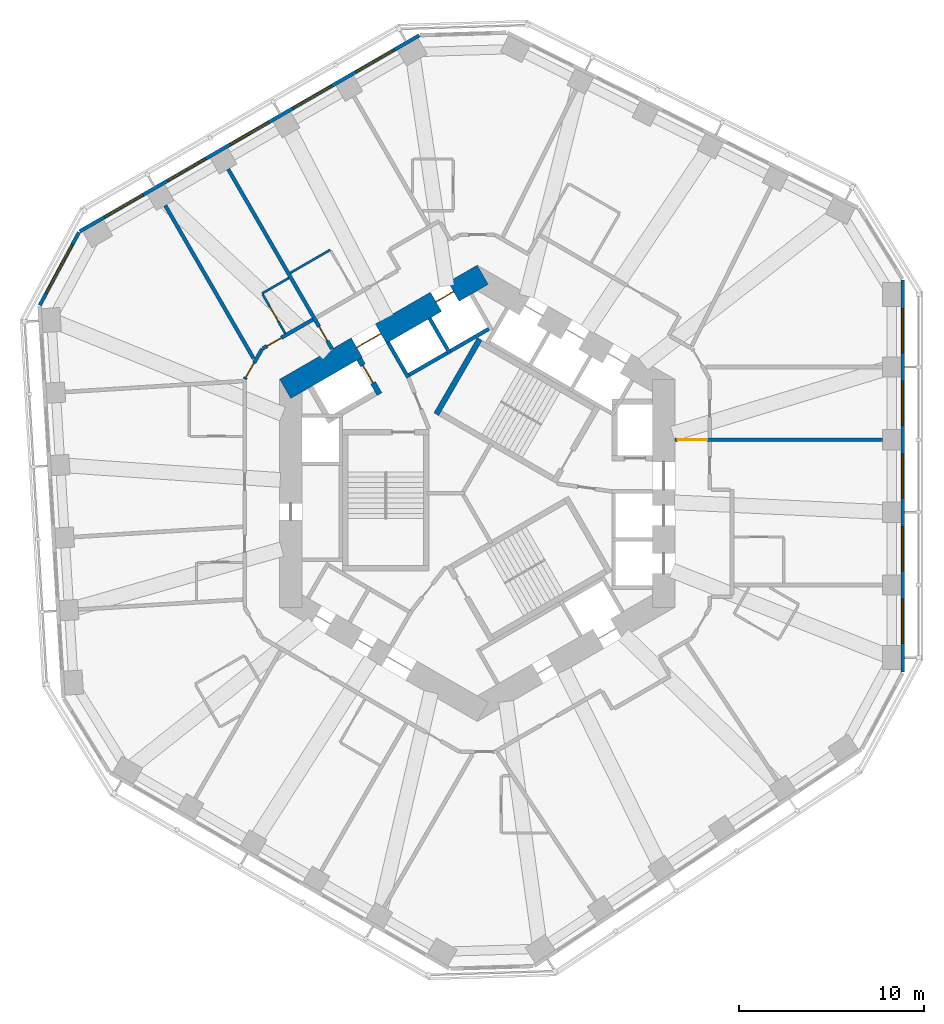
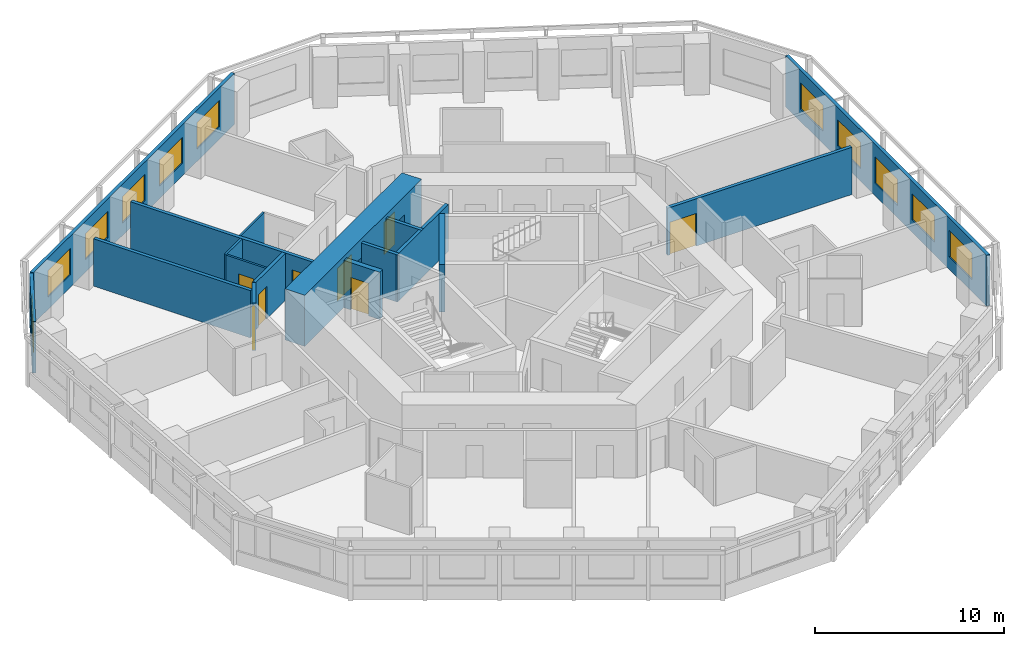
# One storey, part 7 of 12: 17 walls, 11 windows, 8 doors, 19 openings.
"""IFC4 building model written with IfcOpenShell, lengths in metres."""

import ifcopenshell
import ifcopenshell.guid

model = None  # the IFC model being written
_history = None  # IfcOwnerHistory: only IFC2X3 demands one
_inside = {}  # id of a spatial element -> (the spatial element, [elements in it])
_under = {}  # id of a project, library or spatial element -> (it, [spatial elements below it])
_declared = {}  # id of a project -> (the project, [libraries it declares])
_typed = {}  # id of a type object -> (the type object, [elements of that type])
_made_of = {}  # id of a material, layer set ... -> (it, [elements and type objects made of it])


def new_model(schema):
    """Start an empty IFC model of exactly this schema.

    Asked for "IFC4X3", IfcOpenShell would pick the latest addendum, in which some entities
    have other attributes; the version numbers below select the first issue.
    IFC2X3 requires an IfcOwnerHistory on every rooted entity: one is made here for all.
    """
    global model, _history
    if schema == "IFC4X3":
        model = ifcopenshell.file(schema_version=(4, 3, 0, 0))
    else:
        model = ifcopenshell.file(schema=schema)
    _inside.clear()
    _under.clear()
    _declared.clear()
    _typed.clear()
    _made_of.clear()
    _history = None
    if model.schema == "IFC2X3":
        org = make("IfcOrganization", Name="unknown")
        user = make(
            "IfcPersonAndOrganization",
            ThePerson=make("IfcPerson", FamilyName="unknown"),
            TheOrganization=org,
        )
        app = make(
            "IfcApplication",
            ApplicationDeveloper=org,
            Version="unknown",
            ApplicationFullName="unknown",
            ApplicationIdentifier="unknown",
        )
        _history = make(
            "IfcOwnerHistory",
            OwningUser=user,
            OwningApplication=app,
            ChangeAction="ADDED",
            CreationDate=0,
        )
    return model


def make(cls, **values):
    """One entity of the class cls with the attributes given. An attribute that is None is left unset."""
    return model.create_entity(
        cls, **{name: value for name, value in values.items() if value is not None}
    )


def rooted(cls, **values):
    """An entity with a GlobalId (a new one), such as an element, a storey or a relation."""
    return make(cls, GlobalId=ifcopenshell.guid.new(), OwnerHistory=_history, **values)


def si_unit(unit_type, name, prefix=None):
    """IfcSIUnit, for example si_unit("LENGTHUNIT", "METRE", prefix="MILLI")."""
    return make("IfcSIUnit", UnitType=unit_type, Prefix=prefix, Name=name)


def assignment(units):
    """IfcUnitAssignment: the units of a project."""
    return None if units is None else make("IfcUnitAssignment", Units=units)


def point(xyz):
    """IfcCartesianPoint."""
    return None if xyz is None else make("IfcCartesianPoint", Coordinates=xyz)


def direction(xyz):
    """IfcDirection."""
    return None if xyz is None else make("IfcDirection", DirectionRatios=xyz)


def frame(location, z_axis=None, x_axis=None):
    """IfcAxis2Placement3D, a coordinate frame: its origin and axes. An axis left out is left unset."""
    return make(
        "IfcAxis2Placement3D",
        Location=point(location),
        Axis=direction(z_axis),
        RefDirection=direction(x_axis),
    )


def frame_2d(location, x_axis=None):
    """IfcAxis2Placement2D, a coordinate frame in the plane: its origin and x axis."""
    return make(
        "IfcAxis2Placement2D", Location=point(location), RefDirection=direction(x_axis)
    )


def origin():
    """The frame at (0, 0, 0) with its axes left unset."""
    return frame((0.0, 0.0, 0.0))


def place(relative_to, where):
    """IfcLocalPlacement: puts the frame where relative to a parent placement (None: the world)."""
    return make(
        "IfcLocalPlacement", PlacementRelTo=relative_to, RelativePlacement=where
    )


def context(
    kind, dimensions, precision=None, world=None, true_north=None, identifier=None
):
    """IfcGeometricRepresentationContext, for example the 3D "Model" context."""
    return make(
        "IfcGeometricRepresentationContext",
        ContextIdentifier=identifier,
        ContextType=kind,
        CoordinateSpaceDimension=dimensions,
        Precision=precision,
        WorldCoordinateSystem=world,
        TrueNorth=true_north,
    )


def subcontext(parent, identifier, kind, view, scale=None):
    """IfcGeometricRepresentationSubContext, for example "Body" below "Model"."""
    return make(
        "IfcGeometricRepresentationSubContext",
        ContextIdentifier=identifier,
        ContextType=kind,
        ParentContext=parent,
        TargetScale=scale,
        TargetView=view,
    )


def project(units=None, contexts=None):
    """IfcProject with its units and contexts."""
    return rooted(
        "IfcProject",
        Name="project",
        RepresentationContexts=contexts,
        UnitsInContext=assignment(units),
    )


def spatial(cls, under=None, at=None, **own):
    """A site, building, storey or space (cls), placed at a placement, below another one or the project."""
    s = rooted(cls, ObjectPlacement=at, **own)
    if under is not None:
        _under.setdefault(under.id(), (under, []))[1].append(s)
    return s


def profile(cls, at=None, kind="AREA", **sizes):
    """A parametric profile (cls). Its sizes go by their IFC names, for example OverallWidth=200.0."""
    return make(cls, ProfileType=kind, Position=at, **sizes)


def rectangle(**sizes):
    """IfcRectangleProfileDef."""
    return profile("IfcRectangleProfileDef", **sizes)


def extrude(swept, where, along, depth):
    """IfcExtrudedAreaSolid: the profile swept, set in the frame where, extruded along a direction by depth."""
    return make(
        "IfcExtrudedAreaSolid",
        SweptArea=swept,
        Position=where,
        ExtrudedDirection=direction(along),
        Depth=depth,
    )


def shape(context_of_items, identifier, shape_type, items):
    """IfcShapeRepresentation: the items that make up one representation, for example the "Body"."""
    return make(
        "IfcShapeRepresentation",
        ContextOfItems=context_of_items,
        RepresentationIdentifier=identifier,
        RepresentationType=shape_type,
        Items=items,
    )


def material(Name=None, Category=None):
    """IfcMaterial."""
    return make("IfcMaterial", Name=Name, Category=Category)


def layer(
    of_material, thickness, ventilated=None, Name=None, Category=None, Priority=None
):
    """IfcMaterialLayer: one layer of a wall or slab, of a material (None: an air gap)."""
    return make(
        "IfcMaterialLayer",
        Material=of_material,
        LayerThickness=thickness,
        IsVentilated=ventilated,
        Name=Name,
        Category=Category,
        Priority=Priority,
    )


def layer_set(layers, Name=None):
    """IfcMaterialLayerSet."""
    return make("IfcMaterialLayerSet", MaterialLayers=layers, LayerSetName=Name)


def made_of(thing, what):
    """Note that an element or type object is made of a material, layer set ...; save() writes the relation."""
    if what is not None:
        _made_of.setdefault(what.id(), (what, []))[1].append(thing)
    return thing


def type_object(cls, material=None, **own):
    """A type object (cls), such as IfcWallType, which elements share."""
    return made_of(rooted(cls, **own), material)


def element(
    cls,
    number,
    at=None,
    inside=None,
    cuts=None,
    type_object=None,
    material=None,
    context=None,
    identifier="Body",
    shape_type=None,
    held_by="IfcProductDefinitionShape",
    body=None,
    shapes=None,
    **own,
):
    """One element of the class cls, such as IfcWall. Its Tag is "e" and its number.

    at: its placement. inside: the storey or other place that contains it. cuts: it is an
    opening in that element (IfcRelVoidsElement). A single representation is given by context,
    identifier, shape_type and body (its items); several are given by shapes. held_by: the class
    of the entity that holds the representations. save() writes the other relations.
    """
    e = rooted(cls, Tag="e%d" % number, ObjectPlacement=at, **own)
    if body is not None:
        shapes = [shape(context, identifier, shape_type, body)]
    if shapes is not None:
        e.Representation = make(held_by, Representations=shapes)
    if inside is not None:
        _inside.setdefault(inside.id(), (inside, []))[1].append(e)
    if cuts is not None:
        rooted(
            "IfcRelVoidsElement", RelatingBuildingElement=cuts, RelatedOpeningElement=e
        )
    if type_object is not None:
        _typed.setdefault(type_object.id(), (type_object, []))[1].append(e)
    return made_of(e, material)


def fill(opening, filler):
    """IfcRelFillsElement: the door or window that sits in an opening."""
    return rooted(
        "IfcRelFillsElement",
        RelatingOpeningElement=opening,
        RelatedBuildingElement=filler,
    )


def aggregate(whole, parts):
    """IfcRelAggregates: a whole, such as a stair, and the parts it consists of."""
    return rooted("IfcRelAggregates", RelatingObject=whole, RelatedObjects=parts)


def save(model, path):
    """Write the relations noted so far, then the file.

    IfcRelAggregates (storeys below a building ...), IfcRelContainedInSpatialStructure (elements
    in a storey), IfcRelDefinesByType, IfcRelAssociatesMaterial and IfcRelDeclares: one each for
    every whole, place, type object, material and project.
    """
    for whole, parts in _under.values():
        aggregate(whole, parts)
    for where, things in _inside.values():
        rooted(
            "IfcRelContainedInSpatialStructure",
            RelatedElements=things,
            RelatingStructure=where,
        )
    for kind, things in _typed.values():
        rooted("IfcRelDefinesByType", RelatedObjects=things, RelatingType=kind)
    for what, things in _made_of.values():
        rooted("IfcRelAssociatesMaterial", RelatedObjects=things, RelatingMaterial=what)
    for by, libraries in _declared.values():
        rooted("IfcRelDeclares", RelatingContext=by, RelatedDefinitions=libraries)
    model.write(path)


model = new_model("IFC4")

# Units and contexts
model_context = context("Model", 3, precision=1e-05, world=origin(), true_north=direction((0.0, 1.0)))
body_context = subcontext(model_context, "Body", "Model", "MODEL_VIEW")
ifc_project = project(units=[si_unit("LENGTHUNIT", "METRE"), si_unit("AREAUNIT", "SQUARE_METRE"), si_unit("VOLUMEUNIT", "CUBIC_METRE"), si_unit("PLANEANGLEUNIT", "RADIAN"), si_unit("MASSUNIT", "GRAM", prefix="KILO")], contexts=[model_context])

# Site, building, storey
site_placement = place(None, origin())
site = spatial("IfcSite", under=ifc_project, at=site_placement, CompositionType="ELEMENT")
building_placement = place(site_placement, origin())
building = spatial("IfcBuilding", under=site, at=building_placement, Name="Vanh Sen Convention Tower", CompositionType="ELEMENT")
storey_placement = place(building_placement, frame((0.0, 0.0, 103.39990234375)))
storey = spatial("IfcBuildingStorey", under=building, at=storey_placement, Name="L24", CompositionType="ELEMENT", Elevation=103.39990234375)

# Wall
ifc_material_1 = material(Name="Moisture-resistant gypsum board on steel studs", Category="steel")
ifc_layer_1 = layer(ifc_material_1, 0.1201171875)
ifc_layer_set_1 = layer_set([ifc_layer_1], Name="Moisture-resistant gypsum board on steel studs")
wall_type_1 = type_object("IfcWallType", Name="Bathroom partition 120", PredefinedType="PARTITIONING", material=ifc_layer_set_1)
wall_1_placement = place(storey_placement, frame((-11.65087890625, 10.82470703125, 0.0), z_axis=(0.0, 0.0, 1.0), x_axis=(0.865998477143, 0.500046635412, 0.0)))
element("IfcWall", 1, at=wall_1_placement, inside=storey, type_object=wall_type_1, Name="Bathroom partition 120", PredefinedType="PARTITIONING", context=body_context, shape_type="SweptSolid", body=[
    extrude(rectangle(XDim=1.673095703125, YDim=0.1201171875, at=frame_2d((0.83642578125, 0.0))), origin(), (0.0, 0.0, 1.0), 3.050048828125),
])

# Wall, opening, door
wall_2_placement = place(storey_placement, frame((-10.40087890625, 8.65966796875, 0.0), z_axis=(0.0, 0.0, 1.0), x_axis=(-0.500077547548, 0.865980627057, 0.0)))
wall_2 = element("IfcWall", 2, at=wall_2_placement, inside=storey, type_object=wall_type_1, Name="Bathroom partition 120", PredefinedType="PARTITIONING", context=body_context, shape_type="SweptSolid", body=[
    extrude(rectangle(XDim=2.43994140625, YDim=0.1201171875, at=frame_2d((1.219970703125, 0.0))), origin(), (0.0, 0.0, 1.0), 3.050048828125),
])
opening_1_placement = place(wall_2_placement, frame((0.77001953125, 0.0, 0.0)))
opening_1 = element("IfcOpeningElement", 3, at=opening_1_placement, cuts=wall_2, Name="Opening D22112", PredefinedType="OPENING", context=body_context, shape_type="SweptSolid", body=[
    extrude(rectangle(XDim=0.89990234375, YDim=2.10009765625, at=frame_2d((0.449951171875, 1.050048828125))), frame((0.0, 0.070068359375, 0.0), z_axis=(0.0, -1.0, 0.0), x_axis=(1.0, 0.0, 0.0)), (0.0, 0.0, 1.0), 0.14013671875),
])
ifc_material_2 = material(Name="Laminate door in steel frame", Category="steel")
door_type_1 = type_object("IfcDoorType", Name="En-suite door 900", OperationType="SINGLE_SWING_LEFT", PredefinedType="DOOR", material=ifc_material_2)
door_1_placement = place(opening_1_placement, origin())
door_1 = element("IfcDoor", 4, at=door_1_placement, inside=storey, type_object=door_type_1, Name="En-suite door D22112", OperationType="SINGLE_SWING_LEFT", OverallHeight=2.10009765625, OverallWidth=0.89990234375, PredefinedType="DOOR", context=body_context, shape_type="SweptSolid", body=[
    extrude(rectangle(XDim=0.89990234375, YDim=2.10009765625, at=frame_2d((0.449951171875, 1.050048828125))), frame((0.0, 0.02490234375, 0.0), z_axis=(0.0, -1.0, 0.0), x_axis=(1.0, 0.0, 0.0)), (0.0, 0.0, 1.0), 0.050048828125),
])
fill(opening_1, door_1)

# Wall
wall_3_placement = place(storey_placement, frame((-10.12890625, 11.9345703125, 0.0), z_axis=(0.0, 0.0, 1.0), x_axis=(0.866047370643, 0.499961950354, 0.0)))
element("IfcWall", 5, at=wall_3_placement, inside=storey, type_object=wall_type_1, Name="Bathroom partition 120", PredefinedType="PARTITIONING", context=body_context, shape_type="SweptSolid", body=[
    extrude(rectangle(XDim=2.500244140625, YDim=0.1201171875, at=frame_2d((1.25, 0.0))), origin(), (0.0, 0.0, 1.0), 3.050048828125),
])

# Wall, openings, doors
ifc_material_3 = material(Name="Concrete C80/95", Category="concrete")
ifc_layer_2 = layer(ifc_material_3, 1.199951171875)
ifc_layer_set_2 = layer_set([ifc_layer_2], Name="Concrete C80/95")
wall_type_2 = type_object("IfcWallType", Name="Core outer wall 1200 C80/95", PredefinedType="SHEAR", material=ifc_layer_set_2)
wall_4_placement = place(storey_placement, frame((0.300048828125, 11.835693359375, 0.0), z_axis=(0.0, 0.0, 1.0), x_axis=(-0.866021384402, -0.500006961711, 0.0)))
wall_4 = element("IfcWall", 6, at=wall_4_placement, inside=storey, type_object=wall_type_2, Name="Core wall face NW L24", PredefinedType="SHEAR", context=body_context, shape_type="SweptSolid", body=[
    extrude(rectangle(XDim=12.355224609375, YDim=1.199951171875, at=frame_2d((6.177734375, 0.0))), origin(), (0.0, 0.0, 1.0), 3.300048828125),
])
opening_2_placement = place(wall_4_placement, frame((6.377685546875, 0.0, 0.0)))
opening_2 = element("IfcOpeningElement", 7, at=opening_2_placement, cuts=wall_4, Name="Opening D22002", PredefinedType="OPENING", context=body_context, shape_type="SweptSolid", body=[
    extrude(rectangle(XDim=1.5, YDim=2.10009765625, at=frame_2d((0.75, 1.050048828125))), frame((0.0, 0.60986328125, 0.0), z_axis=(0.0, -1.0, 0.0), x_axis=(1.0, 0.0, 0.0)), (0.0, 0.0, 1.0), 1.219970703125),
])
opening_3_placement = place(wall_4_placement, frame((1.82763671875, 0.0, 0.0)))
opening_3 = element("IfcOpeningElement", 8, at=opening_3_placement, cuts=wall_4, Name="Opening LD-LR6", PredefinedType="OPENING", context=body_context, shape_type="SweptSolid", body=[
    extrude(rectangle(XDim=1.10009765625, YDim=2.10009765625, at=frame_2d((0.550048828125, 1.050048828125))), frame((0.0, 0.60986328125, 0.0), z_axis=(0.0, -1.0, 0.0), x_axis=(1.0, 0.0, 0.0)), (0.0, 0.0, 1.0), 1.219970703125),
])
ifc_material_4 = material(Name="Stainless steel", Category="steel")
door_type_2 = type_object("IfcDoorType", Name="Lift landing door 1100", OperationType="DOUBLE_DOOR_SLIDING", PredefinedType="DOOR", material=ifc_material_4)
door_2_placement = place(opening_3_placement, origin())
door_2 = element("IfcDoor", 9, at=door_2_placement, inside=storey, type_object=door_type_2, Name="Lift LR6 landing door LD-LR6", OperationType="DOUBLE_DOOR_SLIDING", OverallHeight=2.10009765625, OverallWidth=1.10009765625, PredefinedType="DOOR", context=body_context, shape_type="SweptSolid", body=[
    extrude(rectangle(XDim=1.10009765625, YDim=2.10009765625, at=frame_2d((0.550048828125, 1.050048828125))), frame((0.0, 0.02490234375, 0.0), z_axis=(0.0, -1.0, 0.0), x_axis=(1.0, 0.0, 0.0)), (0.0, 0.0, 1.0), 0.050048828125),
])
fill(opening_3, door_2)
ifc_material_5 = material(Name="Steel S355", Category="steel")
door_type_3 = type_object("IfcDoorType", Name="Stair lobby door 1500", OperationType="DOUBLE_DOOR_SINGLE_SWING", PredefinedType="DOOR", material=ifc_material_5)
door_3_placement = place(opening_2_placement, origin())
door_3 = element("IfcDoor", 10, at=door_3_placement, inside=storey, type_object=door_type_3, Name="Stair lobby door D22002", OperationType="DOUBLE_DOOR_SINGLE_SWING", OverallHeight=2.10009765625, OverallWidth=1.5, PredefinedType="DOOR", context=body_context, shape_type="SweptSolid", body=[
    extrude(rectangle(XDim=1.5, YDim=2.10009765625, at=frame_2d((0.75, 1.050048828125))), frame((0.0, 0.02490234375, 0.0), z_axis=(0.0, -1.0, 0.0), x_axis=(1.0, 0.0, 0.0)), (0.0, 0.0, 1.0), 0.050048828125),
])
fill(opening_2, door_3)

# Wall, opening, door
ifc_material_6 = material(Name="Gypsum board on steel studs with mineral wool", Category="steel")
ifc_layer_3 = layer(ifc_material_6, 0.199951171875)
ifc_layer_set_3 = layer_set([ifc_layer_3], Name="Gypsum board on steel studs with mineral wool")
wall_type_3 = type_object("IfcWallType", Name="Corridor partition wall 200", PredefinedType="PARTITIONING", material=ifc_layer_set_3)
wall_5_placement = place(storey_placement, frame((-11.64990234375, 7.822998046875, 0.0), z_axis=(0.0, 0.0, 1.0), x_axis=(-0.500063520245, -0.865988727248, 0.0)))
wall_5 = element("IfcWall", 11, at=wall_5_placement, inside=storey, type_object=wall_type_3, Name="Corridor partition wall 200", PredefinedType="PARTITIONING", context=body_context, shape_type="SweptSolid", body=[
    extrude(rectangle(XDim=1.900146484375, YDim=0.199951171875, at=frame_2d((0.9501953125, 0.0))), origin(), (0.0, 0.0, 1.0), 3.050048828125),
])
opening_4_placement = place(wall_5_placement, frame((0.8818359375, 0.0, 0.0)))
opening_4 = element("IfcOpeningElement", 12, at=opening_4_placement, cuts=wall_5, Name="Opening D22113", PredefinedType="OPENING", context=body_context, shape_type="SweptSolid", body=[
    extrude(rectangle(XDim=0.89990234375, YDim=2.10009765625, at=frame_2d((0.449951171875, 1.050048828125))), frame((0.0, 0.10986328125, 0.0), z_axis=(0.0, -1.0, 0.0), x_axis=(1.0, 0.0, 0.0)), (0.0, 0.0, 1.0), 0.219970703125),
])
ifc_material_7 = material(Name="Timber fire door in steel frame", Category="steel")
door_type_4 = type_object("IfcDoorType", Name="Floor room door 900", OperationType="SINGLE_SWING_LEFT", PredefinedType="DOOR", material=ifc_material_7)
door_4_placement = place(opening_4_placement, origin())
door_4 = element("IfcDoor", 13, at=door_4_placement, inside=storey, type_object=door_type_4, Name="Meeting and amenity room door D22113", OperationType="SINGLE_SWING_LEFT", OverallHeight=2.10009765625, OverallWidth=0.89990234375, PredefinedType="DOOR", context=body_context, shape_type="SweptSolid", body=[
    extrude(rectangle(XDim=0.89990234375, YDim=2.10009765625, at=frame_2d((0.449951171875, 1.050048828125))), frame((0.0, 0.02490234375, 0.0), z_axis=(0.0, -1.0, 0.0), x_axis=(1.0, 0.0, 0.0)), (0.0, 0.0, 1.0), 0.050048828125),
])
fill(opening_4, door_4)

wall_6_placement = place(storey_placement, frame((-8.902099609375, 9.40966796875, 0.0), z_axis=(0.0, 0.0, 1.0), x_axis=(-0.866014299198, -0.500019233215, 0.0)))
wall_6 = element("IfcWall", 14, at=wall_6_placement, inside=storey, type_object=wall_type_3, Name="Corridor partition wall 200", PredefinedType="PARTITIONING", context=body_context, shape_type="SweptSolid", body=[
    extrude(rectangle(XDim=3.13330078125, YDim=0.199951171875, at=frame_2d((1.566650390625, 0.0))), origin(), (0.0, 0.0, 1.0), 3.050048828125),
])
opening_5_placement = place(wall_6_placement, frame((1.97802734375, 0.0, 0.0)))
opening_5 = element("IfcOpeningElement", 15, at=opening_5_placement, cuts=wall_6, Name="Opening D22111", PredefinedType="OPENING", context=body_context, shape_type="SweptSolid", body=[
    extrude(rectangle(XDim=0.89990234375, YDim=2.10009765625, at=frame_2d((0.449951171875, 1.050048828125))), frame((0.0, 0.10986328125, 0.0), z_axis=(0.0, -1.0, 0.0), x_axis=(1.0, 0.0, 0.0)), (0.0, 0.0, 1.0), 0.219970703125),
])
door_type_5 = type_object("IfcDoorType", Name="Guest room door 900", OperationType="SINGLE_SWING_LEFT", PredefinedType="DOOR", material=ifc_material_7)
door_5_placement = place(opening_5_placement, origin())
door_5 = element("IfcDoor", 16, at=door_5_placement, inside=storey, type_object=door_type_5, Name="Hotel guest room door D22111", OperationType="SINGLE_SWING_LEFT", OverallHeight=2.10009765625, OverallWidth=0.89990234375, PredefinedType="DOOR", context=body_context, shape_type="SweptSolid", body=[
    extrude(rectangle(XDim=0.89990234375, YDim=2.10009765625, at=frame_2d((0.449951171875, 1.050048828125))), frame((0.0, 0.02490234375, 0.0), z_axis=(0.0, -1.0, 0.0), x_axis=(1.0, 0.0, 0.0)), (0.0, 0.0, 1.0), 0.050048828125),
])
fill(opening_5, door_5)

# Wall, openings, windows
ifc_material_8 = material(Name="Insulated lightweight infill wall")
ifc_layer_4 = layer(ifc_material_8, 0.199951171875)
ifc_layer_set_4 = layer_set([ifc_layer_4], Name="Insulated lightweight infill wall")
wall_type_4 = type_object("IfcWallType", Name="External wall 200", PredefinedType="STANDARD", material=ifc_layer_set_4)
wall_7_placement = place(storey_placement, frame((23.050048828125, -9.6865234375, 0.0), z_axis=(0.0, 0.0, 1.0), x_axis=(0.0, 1.0, 0.0)))
wall_7 = element("IfcWall", 17, at=wall_7_placement, inside=storey, type_object=wall_type_4, Name="External wall E L24", PredefinedType="STANDARD", context=body_context, shape_type="SweptSolid", body=[
    extrude(rectangle(XDim=21.24609375, YDim=0.199951171875, at=frame_2d((10.623046875, 0.0))), origin(), (0.0, 0.0, 1.0), 3.300048828125),
])
opening_6_placement = place(wall_7_placement, frame((1.5546875, 0.0, 0.800048828125)))
opening_6 = element("IfcOpeningElement", 18, at=opening_6_placement, cuts=wall_7, Name="Opening WH1-E1", PredefinedType="OPENING", context=body_context, shape_type="SweptSolid", body=[
    extrude(rectangle(XDim=2.39990234375, YDim=1.699951171875, at=frame_2d((1.199951171875, 0.85009765625))), frame((0.0, 0.10986328125, 0.0), z_axis=(0.0, -1.0, 0.0), x_axis=(1.0, 0.0, 0.0)), (0.0, 0.0, 1.0), 0.219970703125),
])
opening_7_placement = place(wall_7_placement, frame((5.4892578125, 0.0, 0.800048828125)))
opening_7 = element("IfcOpeningElement", 19, at=opening_7_placement, cuts=wall_7, Name="Opening WH1-E2", PredefinedType="OPENING", context=body_context, shape_type="SweptSolid", body=[
    extrude(rectangle(XDim=2.39990234375, YDim=1.699951171875, at=frame_2d((1.199951171875, 0.85009765625))), frame((0.0, 0.10986328125, 0.0), z_axis=(0.0, -1.0, 0.0), x_axis=(1.0, 0.0, 0.0)), (0.0, 0.0, 1.0), 0.219970703125),
])
opening_8_placement = place(wall_7_placement, frame((9.423828125, 0.0, 0.800048828125)))
opening_8 = element("IfcOpeningElement", 20, at=opening_8_placement, cuts=wall_7, Name="Opening WH1-E3", PredefinedType="OPENING", context=body_context, shape_type="SweptSolid", body=[
    extrude(rectangle(XDim=2.39990234375, YDim=1.699951171875, at=frame_2d((1.199951171875, 0.85009765625))), frame((0.0, 0.10986328125, 0.0), z_axis=(0.0, -1.0, 0.0), x_axis=(1.0, 0.0, 0.0)), (0.0, 0.0, 1.0), 0.219970703125),
])
opening_9_placement = place(wall_7_placement, frame((13.3583984375, 0.0, 0.800048828125)))
opening_9 = element("IfcOpeningElement", 21, at=opening_9_placement, cuts=wall_7, Name="Opening WH1-E4", PredefinedType="OPENING", context=body_context, shape_type="SweptSolid", body=[
    extrude(rectangle(XDim=2.39990234375, YDim=1.699951171875, at=frame_2d((1.199951171875, 0.85009765625))), frame((0.0, 0.10986328125, 0.0), z_axis=(0.0, -1.0, 0.0), x_axis=(1.0, 0.0, 0.0)), (0.0, 0.0, 1.0), 0.219970703125),
])
opening_10_placement = place(wall_7_placement, frame((17.29296875, 0.0, 0.800048828125)))
opening_10 = element("IfcOpeningElement", 22, at=opening_10_placement, cuts=wall_7, Name="Opening WH1-E5", PredefinedType="OPENING", context=body_context, shape_type="SweptSolid", body=[
    extrude(rectangle(XDim=2.39990234375, YDim=1.699951171875, at=frame_2d((1.199951171875, 0.85009765625))), frame((0.0, 0.10986328125, 0.0), z_axis=(0.0, -1.0, 0.0), x_axis=(1.0, 0.0, 0.0)), (0.0, 0.0, 1.0), 0.219970703125),
])
ifc_material_9 = material(Name="Aluminium frame with clear low-emissivity glass", Category="aluminium")
window_type_1 = type_object("IfcWindowType", Name="Hotel window 2400 x 1700", PartitioningType="SINGLE_PANEL", PredefinedType="WINDOW", material=ifc_material_9)
window_1_placement = place(opening_6_placement, origin())
window_1 = element("IfcWindow", 23, at=window_1_placement, inside=storey, type_object=window_type_1, Name="Window WH1-E1", OverallHeight=1.699951171875, OverallWidth=2.39990234375, PartitioningType="SINGLE_PANEL", PredefinedType="WINDOW", context=body_context, shape_type="SweptSolid", body=[
    extrude(rectangle(XDim=2.39990234375, YDim=1.699951171875, at=frame_2d((1.199951171875, 0.85009765625))), frame((0.0, 0.030029296875, 0.0), z_axis=(0.0, -1.0, 0.0), x_axis=(1.0, 0.0, 0.0)), (0.0, 0.0, 1.0), 0.06005859375),
])
fill(opening_6, window_1)
window_2_placement = place(opening_7_placement, origin())
window_2 = element("IfcWindow", 24, at=window_2_placement, inside=storey, type_object=window_type_1, Name="Window WH1-E2", OverallHeight=1.699951171875, OverallWidth=2.39990234375, PartitioningType="SINGLE_PANEL", PredefinedType="WINDOW", context=body_context, shape_type="SweptSolid", body=[
    extrude(rectangle(XDim=2.39990234375, YDim=1.699951171875, at=frame_2d((1.199951171875, 0.85009765625))), frame((0.0, 0.030029296875, 0.0), z_axis=(0.0, -1.0, 0.0), x_axis=(1.0, 0.0, 0.0)), (0.0, 0.0, 1.0), 0.06005859375),
])
fill(opening_7, window_2)
window_3_placement = place(opening_8_placement, origin())
window_3 = element("IfcWindow", 25, at=window_3_placement, inside=storey, type_object=window_type_1, Name="Window WH1-E3", OverallHeight=1.699951171875, OverallWidth=2.39990234375, PartitioningType="SINGLE_PANEL", PredefinedType="WINDOW", context=body_context, shape_type="SweptSolid", body=[
    extrude(rectangle(XDim=2.39990234375, YDim=1.699951171875, at=frame_2d((1.199951171875, 0.85009765625))), frame((0.0, 0.030029296875, 0.0), z_axis=(0.0, -1.0, 0.0), x_axis=(1.0, 0.0, 0.0)), (0.0, 0.0, 1.0), 0.06005859375),
])
fill(opening_8, window_3)
window_4_placement = place(opening_9_placement, origin())
window_4 = element("IfcWindow", 26, at=window_4_placement, inside=storey, type_object=window_type_1, Name="Window WH1-E4", OverallHeight=1.699951171875, OverallWidth=2.39990234375, PartitioningType="SINGLE_PANEL", PredefinedType="WINDOW", context=body_context, shape_type="SweptSolid", body=[
    extrude(rectangle(XDim=2.39990234375, YDim=1.699951171875, at=frame_2d((1.199951171875, 0.85009765625))), frame((0.0, 0.030029296875, 0.0), z_axis=(0.0, -1.0, 0.0), x_axis=(1.0, 0.0, 0.0)), (0.0, 0.0, 1.0), 0.06005859375),
])
fill(opening_9, window_4)
window_5_placement = place(opening_10_placement, origin())
window_5 = element("IfcWindow", 27, at=window_5_placement, inside=storey, type_object=window_type_1, Name="Window WH1-E5", OverallHeight=1.699951171875, OverallWidth=2.39990234375, PartitioningType="SINGLE_PANEL", PredefinedType="WINDOW", context=body_context, shape_type="SweptSolid", body=[
    extrude(rectangle(XDim=2.39990234375, YDim=1.699951171875, at=frame_2d((1.199951171875, 0.85009765625))), frame((0.0, 0.030029296875, 0.0), z_axis=(0.0, -1.0, 0.0), x_axis=(1.0, 0.0, 0.0)), (0.0, 0.0, 1.0), 0.06005859375),
])
fill(opening_10, window_5)

wall_8_placement = place(storey_placement, frame((-3.135986328125, 24.80517578125, 0.0), z_axis=(0.0, 0.0, 1.0), x_axis=(-0.866028291626, -0.499994998079, 0.0)))
wall_8 = element("IfcWall", 28, at=wall_8_placement, inside=storey, type_object=wall_type_4, Name="External wall NW L24", PredefinedType="STANDARD", context=body_context, shape_type="SweptSolid", body=[
    extrude(rectangle(XDim=21.246337890625, YDim=0.199951171875, at=frame_2d((10.623046875, 0.0))), origin(), (0.0, 0.0, 1.0), 3.300048828125),
])
opening_11_placement = place(wall_8_placement, frame((1.5546875, 0.0, 0.800048828125)))
opening_11 = element("IfcOpeningElement", 29, at=opening_11_placement, cuts=wall_8, Name="Opening WH1-NW1", PredefinedType="OPENING", context=body_context, shape_type="SweptSolid", body=[
    extrude(rectangle(XDim=2.39990234375, YDim=1.699951171875, at=frame_2d((1.199951171875, 0.85009765625))), frame((0.0, 0.10986328125, 0.0), z_axis=(0.0, -1.0, 0.0), x_axis=(1.0, 0.0, 0.0)), (0.0, 0.0, 1.0), 0.219970703125),
])
opening_12_placement = place(wall_8_placement, frame((5.4892578125, 0.0, 0.800048828125)))
opening_12 = element("IfcOpeningElement", 30, at=opening_12_placement, cuts=wall_8, Name="Opening WH1-NW2", PredefinedType="OPENING", context=body_context, shape_type="SweptSolid", body=[
    extrude(rectangle(XDim=2.39990234375, YDim=1.699951171875, at=frame_2d((1.199951171875, 0.85009765625))), frame((0.0, 0.10986328125, 0.0), z_axis=(0.0, -1.0, 0.0), x_axis=(1.0, 0.0, 0.0)), (0.0, 0.0, 1.0), 0.219970703125),
])
opening_13_placement = place(wall_8_placement, frame((9.423828125, 0.0, 0.800048828125)))
opening_13 = element("IfcOpeningElement", 31, at=opening_13_placement, cuts=wall_8, Name="Opening WH1-NW3", PredefinedType="OPENING", context=body_context, shape_type="SweptSolid", body=[
    extrude(rectangle(XDim=2.39990234375, YDim=1.699951171875, at=frame_2d((1.199951171875, 0.85009765625))), frame((0.0, 0.10986328125, 0.0), z_axis=(0.0, -1.0, 0.0), x_axis=(1.0, 0.0, 0.0)), (0.0, 0.0, 1.0), 0.219970703125),
])
opening_14_placement = place(wall_8_placement, frame((13.3583984375, 0.0, 0.800048828125)))
opening_14 = element("IfcOpeningElement", 32, at=opening_14_placement, cuts=wall_8, Name="Opening WH1-NW4", PredefinedType="OPENING", context=body_context, shape_type="SweptSolid", body=[
    extrude(rectangle(XDim=2.39990234375, YDim=1.699951171875, at=frame_2d((1.199951171875, 0.85009765625))), frame((0.0, 0.10986328125, 0.0), z_axis=(0.0, -1.0, 0.0), x_axis=(1.0, 0.0, 0.0)), (0.0, 0.0, 1.0), 0.219970703125),
])
opening_15_placement = place(wall_8_placement, frame((17.293212890625, 0.0, 0.800048828125)))
opening_15 = element("IfcOpeningElement", 33, at=opening_15_placement, cuts=wall_8, Name="Opening WH1-NW5", PredefinedType="OPENING", context=body_context, shape_type="SweptSolid", body=[
    extrude(rectangle(XDim=2.39990234375, YDim=1.699951171875, at=frame_2d((1.199951171875, 0.85009765625))), frame((0.0, 0.10986328125, 0.0), z_axis=(0.0, -1.0, 0.0), x_axis=(1.0, 0.0, 0.0)), (0.0, 0.0, 1.0), 0.219970703125),
])
window_6_placement = place(opening_11_placement, origin())
window_6 = element("IfcWindow", 34, at=window_6_placement, inside=storey, type_object=window_type_1, Name="Window WH1-NW1", OverallHeight=1.699951171875, OverallWidth=2.39990234375, PartitioningType="SINGLE_PANEL", PredefinedType="WINDOW", context=body_context, shape_type="SweptSolid", body=[
    extrude(rectangle(XDim=2.39990234375, YDim=1.699951171875, at=frame_2d((1.199951171875, 0.85009765625))), frame((0.0, 0.030029296875, 0.0), z_axis=(0.0, -1.0, 0.0), x_axis=(1.0, 0.0, 0.0)), (0.0, 0.0, 1.0), 0.06005859375),
])
fill(opening_11, window_6)
window_7_placement = place(opening_12_placement, origin())
window_7 = element("IfcWindow", 35, at=window_7_placement, inside=storey, type_object=window_type_1, Name="Window WH1-NW2", OverallHeight=1.699951171875, OverallWidth=2.39990234375, PartitioningType="SINGLE_PANEL", PredefinedType="WINDOW", context=body_context, shape_type="SweptSolid", body=[
    extrude(rectangle(XDim=2.39990234375, YDim=1.699951171875, at=frame_2d((1.199951171875, 0.85009765625))), frame((0.0, 0.030029296875, 0.0), z_axis=(0.0, -1.0, 0.0), x_axis=(1.0, 0.0, 0.0)), (0.0, 0.0, 1.0), 0.06005859375),
])
fill(opening_12, window_7)
window_8_placement = place(opening_13_placement, origin())
window_8 = element("IfcWindow", 36, at=window_8_placement, inside=storey, type_object=window_type_1, Name="Window WH1-NW3", OverallHeight=1.699951171875, OverallWidth=2.39990234375, PartitioningType="SINGLE_PANEL", PredefinedType="WINDOW", context=body_context, shape_type="SweptSolid", body=[
    extrude(rectangle(XDim=2.39990234375, YDim=1.699951171875, at=frame_2d((1.199951171875, 0.85009765625))), frame((0.0, 0.030029296875, 0.0), z_axis=(0.0, -1.0, 0.0), x_axis=(1.0, 0.0, 0.0)), (0.0, 0.0, 1.0), 0.06005859375),
])
fill(opening_13, window_8)
window_9_placement = place(opening_14_placement, origin())
window_9 = element("IfcWindow", 37, at=window_9_placement, inside=storey, type_object=window_type_1, Name="Window WH1-NW4", OverallHeight=1.699951171875, OverallWidth=2.39990234375, PartitioningType="SINGLE_PANEL", PredefinedType="WINDOW", context=body_context, shape_type="SweptSolid", body=[
    extrude(rectangle(XDim=2.39990234375, YDim=1.699951171875, at=frame_2d((1.199951171875, 0.85009765625))), frame((0.0, 0.030029296875, 0.0), z_axis=(0.0, -1.0, 0.0), x_axis=(1.0, 0.0, 0.0)), (0.0, 0.0, 1.0), 0.06005859375),
])
fill(opening_14, window_9)
window_10_placement = place(opening_15_placement, origin())
window_10 = element("IfcWindow", 38, at=window_10_placement, inside=storey, type_object=window_type_1, Name="Window WH1-NW5", OverallHeight=1.699951171875, OverallWidth=2.39990234375, PartitioningType="SINGLE_PANEL", PredefinedType="WINDOW", context=body_context, shape_type="SweptSolid", body=[
    extrude(rectangle(XDim=2.39990234375, YDim=1.699951171875, at=frame_2d((1.199951171875, 0.85009765625))), frame((0.0, 0.030029296875, 0.0), z_axis=(0.0, -1.0, 0.0), x_axis=(1.0, 0.0, 0.0)), (0.0, 0.0, 1.0), 0.06005859375),
])
fill(opening_15, window_10)

# Wall, opening, window
wall_9_placement = place(storey_placement, frame((-21.573974609375, 14.142822265625, 0.0), z_axis=(0.0, 0.0, 1.0), x_axis=(-0.473292949472, -0.880905093628, 0.0)))
wall_9 = element("IfcWall", 39, at=wall_9_placement, inside=storey, type_object=wall_type_4, Name="External wall CH3 L24", PredefinedType="STANDARD", context=body_context, shape_type="SweptSolid", body=[
    extrude(rectangle(XDim=4.493896484375, YDim=0.199951171875, at=frame_2d((2.2470703125, 0.0))), origin(), (0.0, 0.0, 1.0), 3.300048828125),
])
opening_16_placement = place(wall_9_placement, frame((0.746826171875, 0.0, 0.800048828125)))
opening_16 = element("IfcOpeningElement", 40, at=opening_16_placement, cuts=wall_9, Name="Opening WH2-CH31", PredefinedType="OPENING", context=body_context, shape_type="SweptSolid", body=[
    extrude(rectangle(XDim=3.0, YDim=1.699951171875, at=frame_2d((1.5, 0.85009765625))), frame((0.0, 0.10986328125, 0.0), z_axis=(0.0, -1.0, 0.0), x_axis=(1.0, 0.0, 0.0)), (0.0, 0.0, 1.0), 0.219970703125),
])
window_type_2 = type_object("IfcWindowType", Name="Hotel window 3000 x 1700", PartitioningType="SINGLE_PANEL", PredefinedType="WINDOW", material=ifc_material_9)
window_11_placement = place(opening_16_placement, origin())
window_11 = element("IfcWindow", 41, at=window_11_placement, inside=storey, type_object=window_type_2, Name="Window WH2-CH31", OverallHeight=1.699951171875, OverallWidth=3.0, PartitioningType="SINGLE_PANEL", PredefinedType="WINDOW", context=body_context, shape_type="SweptSolid", body=[
    extrude(rectangle(XDim=3.0, YDim=1.699951171875, at=frame_2d((1.5, 0.85009765625))), frame((0.0, 0.030029296875, 0.0), z_axis=(0.0, -1.0, 0.0), x_axis=(1.0, 0.0, 0.0)), (0.0, 0.0, 1.0), 0.06005859375),
])
fill(opening_16, window_11)

# Wall, opening, door
ifc_material_10 = material(Name="Concrete C60/75", Category="concrete")
ifc_layer_5 = layer(ifc_material_10, 0.300048828125)
ifc_layer_set_5 = layer_set([ifc_layer_5], Name="Concrete C60/75")
wall_type_5 = type_object("IfcWallType", Name="Fire-fighting lift shaft wall 300", PredefinedType="SHEAR", material=ifc_layer_set_5)
wall_10_placement = place(storey_placement, frame((-5.29541015625, 5.3720703125, 0.0), z_axis=(0.0, 0.0, 1.0), x_axis=(-0.500077893725, 0.86598042715, 0.0)))
wall_10 = element("IfcWall", 42, at=wall_10_placement, inside=storey, type_object=wall_type_5, Name="Fire-fighting lift shaft wall L24", PredefinedType="SHEAR", context=body_context, shape_type="SweptSolid", body=[
    extrude(rectangle(XDim=2.199951171875, YDim=0.300048828125, at=frame_2d((1.10009765625, 0.0))), origin(), (0.0, 0.0, 1.0), 3.050048828125),
])
opening_17_placement = place(wall_10_placement, frame((0.699951171875, 0.0, 0.0)))
opening_17 = element("IfcOpeningElement", 43, at=opening_17_placement, cuts=wall_10, Name="Opening LD-FF2", PredefinedType="OPENING", context=body_context, shape_type="SweptSolid", body=[
    extrude(rectangle(XDim=1.10009765625, YDim=2.10009765625, at=frame_2d((0.550048828125, 1.050048828125))), frame((0.0, 0.159912109375, 0.0), z_axis=(0.0, -1.0, 0.0), x_axis=(1.0, 0.0, 0.0)), (0.0, 0.0, 1.0), 0.320068359375),
])
door_type_6 = type_object("IfcDoorType", Name="Fire-fighting lift landing door 1100", OperationType="DOUBLE_DOOR_SLIDING", PredefinedType="DOOR", material=ifc_material_4)
door_6_placement = place(opening_17_placement, origin())
door_6 = element("IfcDoor", 44, at=door_6_placement, inside=storey, type_object=door_type_6, Name="Lift FF2 landing door LD-FF2", OperationType="DOUBLE_DOOR_SLIDING", OverallHeight=2.10009765625, OverallWidth=1.10009765625, PredefinedType="DOOR", context=body_context, shape_type="SweptSolid", body=[
    extrude(rectangle(XDim=1.10009765625, YDim=2.10009765625, at=frame_2d((0.550048828125, 1.050048828125))), frame((0.0, 0.02490234375, 0.0), z_axis=(0.0, -1.0, 0.0), x_axis=(1.0, 0.0, 0.0)), (0.0, 0.0, 1.0), 0.050048828125),
])
fill(opening_17, door_6)

# Walls
ifc_layer_6 = layer(ifc_material_6, 0.199951171875)
ifc_layer_set_6 = layer_set([ifc_layer_6], Name="Gypsum board on steel studs with mineral wool")
wall_type_6 = type_object("IfcWallType", Name="Hotel party wall 200", PredefinedType="PARTITIONING", material=ifc_layer_set_6)
wall_11_placement = place(storey_placement, frame((-16.89794921875, 15.589599609375, 0.0), z_axis=(0.0, 0.0, 1.0), x_axis=(0.500023458698, -0.866011859475, 0.0)))
element("IfcWall", 45, at=wall_11_placement, inside=storey, type_object=wall_type_6, Name="Hotel party wall 200", PredefinedType="PARTITIONING", context=body_context, shape_type="SweptSolid", body=[
    extrude(rectangle(XDim=9.57177734375, YDim=0.199951171875, at=frame_2d((4.785888671875, 0.0))), origin(), (0.0, 0.0, 1.0), 3.050048828125),
])
ifc_material_11 = material(Name="Concrete C40/50", Category="concrete")
ifc_layer_7 = layer(ifc_material_11, 0.199951171875)
ifc_layer_set_7 = layer_set([ifc_layer_7], Name="Concrete C40/50")
wall_type_7 = type_object("IfcWallType", Name="Lift shaft wall 200", PredefinedType="PARTITIONING", material=ifc_layer_set_7)
wall_12_placement = place(storey_placement, frame((0.80322265625, 9.008544921875, 0.0), z_axis=(0.0, 0.0, 1.0), x_axis=(-0.866028230842, -0.499995103361, 0.0)))
element("IfcWall", 46, at=wall_12_placement, inside=storey, type_object=wall_type_7, Name="Lift shaft wall L24", PredefinedType="PARTITIONING", context=body_context, shape_type="SweptSolid", body=[
    extrude(rectangle(XDim=5.39990234375, YDim=0.199951171875, at=frame_2d((2.699951171875, 0.0))), origin(), (0.0, 0.0, 1.0), 3.050048828125),
])
for number, where, z_axis, x_axis, name in (
    (47, (-1.48486328125, 7.572021484375, 0.0), (0.0, 0.0, 1.0), (-0.50002983664, 0.866008176907, 0.0), "Lift shaft wall L24"),
    (48, (-3.736572265625, 6.27197265625, 0.0), (0.0, 0.0, 1.0), (-0.50002983664, 0.866008176907, 0.0), "Lift shaft wall L24"),
):
    element("IfcWall", number, at=place(storey_placement, frame(where, z_axis=z_axis, x_axis=x_axis)), inside=storey, type_object=wall_type_7, Name=name, PredefinedType="PARTITIONING", context=body_context, shape_type="SweptSolid", body=[
        extrude(rectangle(XDim=2.199951171875, YDim=0.199951171875, at=frame_2d((1.10009765625, 0.0))), origin(), (0.0, 0.0, 1.0), 3.050048828125),
    ])
ifc_layer_8 = layer(ifc_material_10, 0.300048828125)
ifc_layer_set_8 = layer_set([ifc_layer_8], Name="Concrete C60/75")
wall_type_8 = type_object("IfcWallType", Name="Stair wall 300", PredefinedType="SHEAR", material=ifc_layer_set_8)
wall_13_placement = place(storey_placement, frame((-2.216064453125, 4.28173828125, 0.0), z_axis=(0.0, 0.0, 1.0), x_axis=(0.499977259774, 0.866038532462, 0.0)))
element("IfcWall", 49, at=wall_13_placement, inside=storey, type_object=wall_type_8, Name="Stair wall L24", PredefinedType="SHEAR", context=body_context, shape_type="SweptSolid", body=[
    extrude(rectangle(XDim=4.699951171875, YDim=0.300048828125, at=frame_2d((2.35009765625, 0.0))), origin(), (0.0, 0.0, 1.0), 3.050048828125),
])

# Wall, opening, door
ifc_material_12 = material(Name="Concrete C20/25", Category="concrete")
ifc_layer_9 = layer(ifc_material_12, 0.199951171875)
ifc_layer_set_9 = layer_set([ifc_layer_9], Name="Concrete C20/25")
wall_type_9 = type_object("IfcWallType", Name="Sub-compartment wall 200", PredefinedType="PARTITIONING", material=ifc_layer_set_9)
wall_14_placement = place(storey_placement, frame((-7.865478515625, 7.814208984375, 0.0), z_axis=(0.0, 0.0, 1.0), x_axis=(-0.500004234368, 0.866022959057, 0.0)))
wall_14 = element("IfcWall", 50, at=wall_14_placement, inside=storey, type_object=wall_type_9, Name="Sub-compartment wall 200", PredefinedType="PARTITIONING", context=body_context, shape_type="SweptSolid", body=[
    extrude(rectangle(XDim=11.25, YDim=0.199951171875, at=frame_2d((5.625, 0.0))), origin(), (0.0, 0.0, 1.0), 3.050048828125),
])
opening_18_placement = place(wall_14_placement, frame((0.5, 0.0, 0.0)))
opening_18 = element("IfcOpeningElement", 51, at=opening_18_placement, cuts=wall_14, Name="Opening D22128", PredefinedType="OPENING", context=body_context, shape_type="SweptSolid", body=[
    extrude(rectangle(XDim=0.89990234375, YDim=2.10009765625, at=frame_2d((0.449951171875, 1.050048828125))), frame((0.0, 0.10986328125, 0.0), z_axis=(0.0, -1.0, 0.0), x_axis=(1.0, 0.0, 0.0)), (0.0, 0.0, 1.0), 0.219970703125),
])
ifc_material_13 = material(Name="Steel S355", Category="steel")
door_type_7 = type_object("IfcDoorType", Name="Corridor fire door 900", OperationType="SINGLE_SWING_LEFT", PredefinedType="DOOR", material=ifc_material_13)
door_7_placement = place(opening_18_placement, origin())
door_7 = element("IfcDoor", 52, at=door_7_placement, inside=storey, type_object=door_type_7, Name="Sub-compartment door D22128", OperationType="SINGLE_SWING_LEFT", OverallHeight=2.10009765625, OverallWidth=0.89990234375, PredefinedType="DOOR", context=body_context, shape_type="SweptSolid", body=[
    extrude(rectangle(XDim=0.89990234375, YDim=2.10009765625, at=frame_2d((0.449951171875, 1.050048828125))), frame((0.0, 0.02490234375, 0.0), z_axis=(0.0, -1.0, 0.0), x_axis=(1.0, 0.0, 0.0)), (0.0, 0.0, 1.0), 0.050048828125),
])
fill(opening_18, door_7)

wall_15_placement = place(storey_placement, frame((21.949951171875, 2.904541015625, 0.0), z_axis=(0.0, 0.0, 1.0), x_axis=(-1.0, 0.0, 0.0)))
wall_15 = element("IfcWall", 53, at=wall_15_placement, inside=storey, type_object=wall_type_9, Name="Sub-compartment wall 200", PredefinedType="PARTITIONING", context=body_context, shape_type="SweptSolid", body=[
    extrude(rectangle(XDim=11.25, YDim=0.199951171875, at=frame_2d((5.625, 0.0))), origin(), (0.0, 0.0, 1.0), 3.050048828125),
])
opening_19_placement = place(wall_15_placement, frame((9.5, 0.0, 0.0)))
opening_19 = element("IfcOpeningElement", 54, at=opening_19_placement, cuts=wall_15, Name="Opening D22129", PredefinedType="OPENING", context=body_context, shape_type="SweptSolid", body=[
    extrude(rectangle(XDim=1.60009765625, YDim=2.10009765625, at=frame_2d((0.800048828125, 1.050048828125))), frame((0.0, 0.10986328125, 0.0), z_axis=(0.0, -1.0, 0.0), x_axis=(1.0, 0.0, 0.0)), (0.0, 0.0, 1.0), 0.219970703125),
])
door_type_8 = type_object("IfcDoorType", Name="Corridor fire door 1600", OperationType="DOUBLE_DOOR_SINGLE_SWING", PredefinedType="DOOR", material=ifc_material_13)
door_8_placement = place(opening_19_placement, origin())
door_8 = element("IfcDoor", 55, at=door_8_placement, inside=storey, type_object=door_type_8, Name="Sub-compartment door D22129", OperationType="DOUBLE_DOOR_SINGLE_SWING", OverallHeight=2.10009765625, OverallWidth=1.60009765625, PredefinedType="DOOR", context=body_context, shape_type="SweptSolid", body=[
    extrude(rectangle(XDim=1.60009765625, YDim=2.10009765625, at=frame_2d((0.800048828125, 1.050048828125))), frame((0.0, 0.02490234375, 0.0), z_axis=(0.0, -1.0, 0.0), x_axis=(1.0, 0.0, 0.0)), (0.0, 0.0, 1.0), 0.050048828125),
])
fill(opening_19, door_8)

save(model, "model.ifc")
